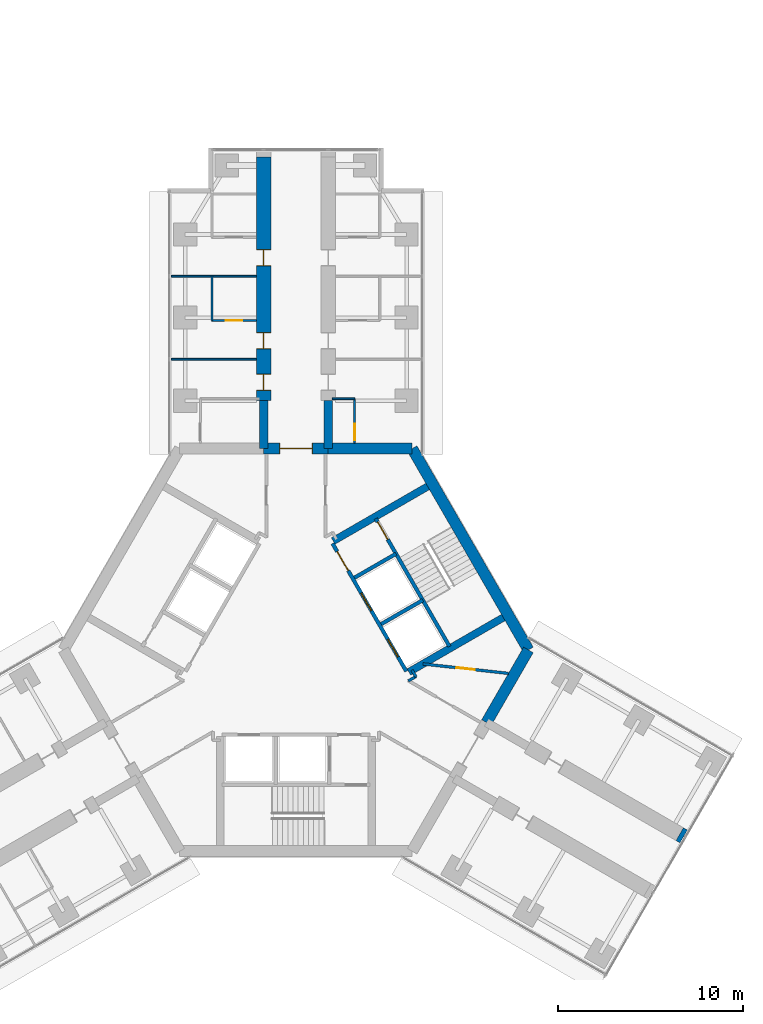
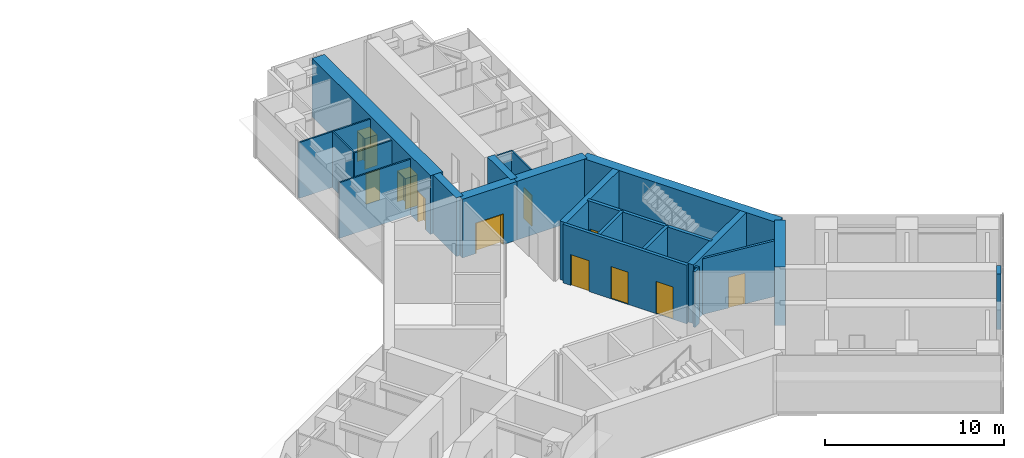
# One storey, part 20 of 23: 23 walls, 11 doors, 11 openings.
"""IFC4 building model written with IfcOpenShell, lengths in metres."""

from ifc_helpers import new_model, si_unit, direction, frame, frame_2d, origin, place, context, subcontext, project, spatial, rectangle, extrude, material, layer, layer_set, type_object, element, fill, save


model = new_model("IFC4")

# Units and contexts
model_context = context("Model", 3, precision=1e-05, world=origin(), true_north=direction((0.0, 1.0)))
body_context = subcontext(model_context, "Body", "Model", "MODEL_VIEW")
ifc_project = project(units=[si_unit("LENGTHUNIT", "METRE"), si_unit("AREAUNIT", "SQUARE_METRE"), si_unit("VOLUMEUNIT", "CUBIC_METRE"), si_unit("PLANEANGLEUNIT", "RADIAN"), si_unit("MASSUNIT", "GRAM", prefix="KILO")], contexts=[model_context])

# Site, building, storey
site_placement = place(None, origin())
site = spatial("IfcSite", under=ifc_project, at=site_placement, CompositionType="ELEMENT")
building_placement = place(site_placement, origin())
building = spatial("IfcBuilding", under=site, at=building_placement, Name="Upepo Twin Towers", CompositionType="ELEMENT")
storey_placement = place(building_placement, frame((0.0, 0.0, 145.5)))
storey = spatial("IfcBuildingStorey", under=building, at=storey_placement, Name="L35", CompositionType="ELEMENT", Elevation=145.5)

# Walls
ifc_material_1 = material(Name="Dense concrete blockwork", Category="masonry")
ifc_layer_1 = layer(ifc_material_1, 0.800048828125)
ifc_layer_set_1 = layer_set([ifc_layer_1], Name="Buttress closer 800, blockwork with fire-stopping to the curtain wall")
wall_type_1 = type_object("IfcWallType", Name="Buttress closer 800, blockwork with fire-stopping to the curtain wall", PredefinedType="PARTITIONING", material=ifc_layer_set_1)
wall_1_placement = place(storey_placement, frame((79.293701171875, -27.984375, 0.0), z_axis=(0.0, 0.0, 1.0), x_axis=(0.865827443207, -0.500342721131, 0.0)))
element("IfcWall", 1, at=wall_1_placement, inside=storey, type_object=wall_type_1, Name="T2 L35 wing C buttress closer L", PredefinedType="PARTITIONING", context=body_context, shape_type="SweptSolid", body=[
    extrude(rectangle(XDim=0.249755859375, YDim=0.800048828125, at=frame_2d((0.125, 0.0))), origin(), (0.0, 0.0, 1.0), 3.800048828125),
])
ifc_material_2 = material(Name="Concrete C60/75", Category="concrete")
ifc_layer_2 = layer(ifc_material_2, 0.449951171875)
ifc_layer_set_2 = layer_set([ifc_layer_2], Name="Concrete C60/75")
wall_type_2 = type_object("IfcWallType", Name="Buttress wall 450 RC", PredefinedType="SHEAR", material=ifc_layer_set_2)
for number, where, z_axis, x_axis, name in (
    (2, (56.75, -7.091552734375, 0.0), (0.0, 0.0, 1.0), (0.0, 1.0, 0.0), "T2 wing A buttress wall L"),
    (3, (60.25, -7.091552734375, 0.0), (0.0, 0.0, 1.0), (0.0, 1.0, 0.0), "T2 wing A buttress wall R"),
):
    element("IfcWall", number, at=place(storey_placement, frame(where, z_axis=z_axis, x_axis=x_axis)), inside=storey, type_object=wall_type_2, Name=name, PredefinedType="SHEAR", context=body_context, shape_type="SweptSolid", body=[
        extrude(rectangle(XDim=2.591552734375, YDim=0.449951171875, at=frame_2d((1.2958984375, 0.0))), origin(), (0.0, 0.0, 1.0), 4.0),
    ])

# Wall, openings, doors
ifc_material_3 = material(Name="Concrete C60/75", Category="concrete")
ifc_layer_3 = layer(ifc_material_3, 0.800048828125)
ifc_layer_set_3 = layer_set([ifc_layer_3], Name="Concrete C60/75")
wall_type_3 = type_object("IfcWallType", Name="Buttress wall 800 RC", PredefinedType="SHEAR", material=ifc_layer_set_3)
wall_2_placement = place(storey_placement, frame((56.75, -4.5, 0.0), z_axis=(0.0, 0.0, 1.0), x_axis=(0.0, 1.0, 0.0)))
wall_2 = element("IfcWall", 4, at=wall_2_placement, inside=storey, type_object=wall_type_3, Name="T2 wing A buttress wall L part 2", PredefinedType="SHEAR", context=body_context, shape_type="SweptSolid", body=[
    extrude(rectangle(XDim=13.199951171875, YDim=0.800048828125, at=frame_2d((6.60009765625, 0.0))), origin(), (0.0, 0.0, 1.0), 4.0),
])
opening_1_placement = place(wall_2_placement, frame((0.550048828125, 0.0, 0.0)))
opening_1 = element("IfcOpeningElement", 5, at=opening_1_placement, cuts=wall_2, Name="Opening D11", PredefinedType="OPENING", context=body_context, shape_type="SweptSolid", body=[
    extrude(rectangle(XDim=0.89990234375, YDim=2.10009765625, at=frame_2d((0.449951171875, 1.050048828125))), frame((0.0, 0.409912109375, 0.0), z_axis=(0.0, -1.0, 0.0), x_axis=(1.0, 0.0, 0.0)), (0.0, 0.0, 1.0), 0.820068359375),
])
opening_2_placement = place(wall_2_placement, frame((2.800048828125, 0.0, 0.0)))
opening_2 = element("IfcOpeningElement", 6, at=opening_2_placement, cuts=wall_2, Name="Opening D14", PredefinedType="OPENING", context=body_context, shape_type="SweptSolid", body=[
    extrude(rectangle(XDim=0.89990234375, YDim=2.10009765625, at=frame_2d((0.449951171875, 1.050048828125))), frame((0.0, 0.409912109375, 0.0), z_axis=(0.0, -1.0, 0.0), x_axis=(1.0, 0.0, 0.0)), (0.0, 0.0, 1.0), 0.820068359375),
])
opening_3_placement = place(wall_2_placement, frame((7.300048828125, 0.0, 0.0)))
opening_3 = element("IfcOpeningElement", 7, at=opening_3_placement, cuts=wall_2, Name="Opening D14", PredefinedType="OPENING", context=body_context, shape_type="SweptSolid", body=[
    extrude(rectangle(XDim=0.89990234375, YDim=2.10009765625, at=frame_2d((0.449951171875, 1.050048828125))), frame((0.0, 0.409912109375, 0.0), z_axis=(0.0, -1.0, 0.0), x_axis=(1.0, 0.0, 0.0)), (0.0, 0.0, 1.0), 0.820068359375),
])
ifc_material_4 = material(Name="Timber doorset", Category="wood")
door_type_1 = type_object("IfcDoorType", Name="Office door 900 FD30", OperationType="SINGLE_SWING_LEFT", PredefinedType="DOOR", material=ifc_material_4)
door_1_placement = place(opening_2_placement, origin())
door_1 = element("IfcDoor", 8, at=door_1_placement, inside=storey, type_object=door_type_1, Name="T2 L35 staff office door", OperationType="SINGLE_SWING_LEFT", OverallHeight=2.10009765625, OverallWidth=0.89990234375, PredefinedType="DOOR", context=body_context, shape_type="SweptSolid", body=[
    extrude(rectangle(XDim=0.81990234375, YDim=2.06009765625, at=frame_2d((0.449951171875, 1.030029296875))), frame((0.0, 0.02490234375, 0.0), z_axis=(0.0, -1.0, 0.0), x_axis=(1.0, 0.0, 0.0)), (0.0, 0.0, 1.0), 0.050048828125),
    extrude(rectangle(XDim=0.04, YDim=2.10009765625, at=frame_2d((0.02001953125, 1.050048828125))), frame((0.0, 0.39990234375, 0.0), z_axis=(0.0, -1.0, 0.0), x_axis=(1.0, 0.0, 0.0)), (0.0, 0.0, 1.0), 0.799560546875),
    extrude(rectangle(XDim=0.04, YDim=2.10009765625, at=frame_2d((0.8798828125, 1.050048828125))), frame((0.0, 0.39990234375, 0.0), z_axis=(0.0, -1.0, 0.0), x_axis=(1.0, 0.0, 0.0)), (0.0, 0.0, 1.0), 0.799560546875),
    extrude(rectangle(XDim=0.81990234375, YDim=0.04, at=frame_2d((0.449951171875, 2.080078125))), frame((0.0, 0.39990234375, 0.0), z_axis=(0.0, -1.0, 0.0), x_axis=(1.0, 0.0, 0.0)), (0.0, 0.0, 1.0), 0.799560546875),
])
fill(opening_2, door_1)
door_2_placement = place(opening_3_placement, origin())
door_2 = element("IfcDoor", 9, at=door_2_placement, inside=storey, type_object=door_type_1, Name="T2 L35 meeting room door", OperationType="SINGLE_SWING_RIGHT", OverallHeight=2.10009765625, OverallWidth=0.89990234375, PredefinedType="DOOR", context=body_context, shape_type="SweptSolid", body=[
    extrude(rectangle(XDim=0.81990234375, YDim=2.06009765625, at=frame_2d((0.449951171875, 1.030029296875))), frame((0.0, 0.02490234375, 0.0), z_axis=(0.0, -1.0, 0.0), x_axis=(1.0, 0.0, 0.0)), (0.0, 0.0, 1.0), 0.050048828125),
    extrude(rectangle(XDim=0.04, YDim=2.10009765625, at=frame_2d((0.02001953125, 1.050048828125))), frame((0.0, 0.39990234375, 0.0), z_axis=(0.0, -1.0, 0.0), x_axis=(1.0, 0.0, 0.0)), (0.0, 0.0, 1.0), 0.799560546875),
    extrude(rectangle(XDim=0.04, YDim=2.10009765625, at=frame_2d((0.8798828125, 1.050048828125))), frame((0.0, 0.39990234375, 0.0), z_axis=(0.0, -1.0, 0.0), x_axis=(1.0, 0.0, 0.0)), (0.0, 0.0, 1.0), 0.799560546875),
    extrude(rectangle(XDim=0.81990234375, YDim=0.04, at=frame_2d((0.449951171875, 2.080078125))), frame((0.0, 0.39990234375, 0.0), z_axis=(0.0, -1.0, 0.0), x_axis=(1.0, 0.0, 0.0)), (0.0, 0.0, 1.0), 0.799560546875),
])
fill(opening_3, door_2)
ifc_material_5 = material(Name="Timber doorset", Category="wood")
door_type_2 = type_object("IfcDoorType", Name="Toilet door 900", OperationType="SINGLE_SWING_LEFT", PredefinedType="DOOR", material=ifc_material_5)
door_3_placement = place(opening_1_placement, origin())
door_3 = element("IfcDoor", 10, at=door_3_placement, inside=storey, type_object=door_type_2, Name="T2 L35 accessible wc door", OperationType="SINGLE_SWING_LEFT", OverallHeight=2.10009765625, OverallWidth=0.89990234375, PredefinedType="DOOR", context=body_context, shape_type="SweptSolid", body=[
    extrude(rectangle(XDim=0.81990234375, YDim=2.06009765625, at=frame_2d((0.449951171875, 1.030029296875))), frame((0.0, 0.02490234375, 0.0), z_axis=(0.0, -1.0, 0.0), x_axis=(1.0, 0.0, 0.0)), (0.0, 0.0, 1.0), 0.050048828125),
    extrude(rectangle(XDim=0.04, YDim=2.10009765625, at=frame_2d((0.02001953125, 1.050048828125))), frame((0.0, 0.39990234375, 0.0), z_axis=(0.0, -1.0, 0.0), x_axis=(1.0, 0.0, 0.0)), (0.0, 0.0, 1.0), 0.799560546875),
    extrude(rectangle(XDim=0.04, YDim=2.10009765625, at=frame_2d((0.8798828125, 1.050048828125))), frame((0.0, 0.39990234375, 0.0), z_axis=(0.0, -1.0, 0.0), x_axis=(1.0, 0.0, 0.0)), (0.0, 0.0, 1.0), 0.799560546875),
    extrude(rectangle(XDim=0.81990234375, YDim=0.04, at=frame_2d((0.449951171875, 2.080078125))), frame((0.0, 0.39990234375, 0.0), z_axis=(0.0, -1.0, 0.0), x_axis=(1.0, 0.0, 0.0)), (0.0, 0.0, 1.0), 0.799560546875),
])
fill(opening_1, door_3)

# Wall
ifc_material_6 = material(Name="Concrete C60/75", Category="concrete")
ifc_layer_4 = layer(ifc_material_6, 0.60009765625)
ifc_layer_set_4 = layer_set([ifc_layer_4], Name="Concrete C60/75")
wall_type_4 = type_object("IfcWallType", Name="Core wall 600 RC", PredefinedType="SHEAR", material=ifc_layer_set_4)
wall_3_placement = place(storey_placement, frame((64.7978515625, -7.091552734375, 0.0), z_axis=(0.0, 0.0, 1.0), x_axis=(-1.0, 0.0, 0.0)))
element("IfcWall", 11, at=wall_3_placement, inside=storey, type_object=wall_type_4, Name="T2 core wall 000 R", PredefinedType="SHEAR", context=body_context, shape_type="SweptSolid", body=[
    extrude(rectangle(XDim=4.5478515625, YDim=0.60009765625, at=frame_2d((2.27392578125, 0.0))), origin(), (0.0, 0.0, 1.0), 4.0),
])

# Wall, opening, door
wall_4_placement = place(storey_placement, frame((60.25, -7.091552734375, 0.0), z_axis=(0.0, 0.0, 1.0), x_axis=(-1.0, 0.0, 0.0)))
wall_4 = element("IfcWall", 12, at=wall_4_placement, inside=storey, type_object=wall_type_4, Name="T2 core wall 000", PredefinedType="SHEAR", context=body_context, shape_type="SweptSolid", body=[
    extrude(rectangle(XDim=3.5, YDim=0.60009765625, at=frame_2d((1.75, 0.0))), origin(), (0.0, 0.0, 1.0), 4.0),
])
opening_4_placement = place(wall_4_placement, frame((0.85009765625, 0.0, 0.0)))
opening_4 = element("IfcOpeningElement", 13, at=opening_4_placement, cuts=wall_4, Name="Opening D2", PredefinedType="OPENING", context=body_context, shape_type="SweptSolid", body=[
    extrude(rectangle(XDim=1.800048828125, YDim=2.10009765625, at=frame_2d((0.89990234375, 1.050048828125))), frame((0.0, 0.31005859375, 0.0), z_axis=(0.0, -1.0, 0.0), x_axis=(1.0, 0.0, 0.0)), (0.0, 0.0, 1.0), 0.6201171875),
])
ifc_material_7 = material(Name="Timber doorset", Category="wood")
door_type_3 = type_object("IfcDoorType", Name="Corridor double door 1800 FD60", OperationType="DOUBLE_DOOR_DOUBLE_SWING", PredefinedType="DOOR", material=ifc_material_7)
door_4_placement = place(opening_4_placement, origin())
door_4 = element("IfcDoor", 14, at=door_4_placement, inside=storey, type_object=door_type_3, Name="T2 L35 wing A corridor door", OperationType="DOUBLE_DOOR_DOUBLE_SWING", OverallHeight=2.10009765625, OverallWidth=1.800048828125, PredefinedType="DOOR", context=body_context, shape_type="SweptSolid", body=[
    extrude(rectangle(XDim=1.720048828125, YDim=2.06009765625, at=frame_2d((0.89990234375, 1.030029296875))), frame((0.0, 0.02490234375, 0.0), z_axis=(0.0, -1.0, 0.0), x_axis=(1.0, 0.0, 0.0)), (0.0, 0.0, 1.0), 0.050048828125),
    extrude(rectangle(XDim=0.04, YDim=2.10009765625, at=frame_2d((0.02001953125, 1.050048828125))), frame((0.0, 0.2998046875, 0.0), z_axis=(0.0, -1.0, 0.0), x_axis=(1.0, 0.0, 0.0)), (0.0, 0.0, 1.0), 0.599609375),
    extrude(rectangle(XDim=0.04, YDim=2.10009765625, at=frame_2d((1.780029296875, 1.050048828125))), frame((0.0, 0.2998046875, 0.0), z_axis=(0.0, -1.0, 0.0), x_axis=(1.0, 0.0, 0.0)), (0.0, 0.0, 1.0), 0.599609375),
    extrude(rectangle(XDim=1.720048828125, YDim=0.04, at=frame_2d((0.89990234375, 2.080078125))), frame((0.0, 0.2998046875, 0.0), z_axis=(0.0, -1.0, 0.0), x_axis=(1.0, 0.0, 0.0)), (0.0, 0.0, 1.0), 0.599609375),
])
fill(opening_4, door_4)

# Walls
wall_5_placement = place(storey_placement, frame((68.82177734375, -21.938720703125, 0.0), z_axis=(0.0, 0.0, 1.0), x_axis=(0.500024481964, 0.866011268655, 0.0)))
element("IfcWall", 15, at=wall_5_placement, inside=storey, type_object=wall_type_4, Name="T2 core wall 240 L", PredefinedType="SHEAR", context=body_context, shape_type="SweptSolid", body=[
    extrude(rectangle(XDim=4.548095703125, YDim=0.60009765625, at=frame_2d((2.27392578125, 0.0))), origin(), (0.0, 0.0, 1.0), 4.0),
])
wall_6_placement = place(storey_placement, frame((71.095947265625, -18.0, 0.0), z_axis=(0.0, 0.0, 1.0), x_axis=(-0.500005998175, 0.866021940709, 0.0)))
element("IfcWall", 16, at=wall_6_placement, inside=storey, type_object=wall_type_4, Name="T2 core wall 300", PredefinedType="SHEAR", context=body_context, shape_type="SweptSolid", body=[
    extrude(rectangle(XDim=12.595947265625, YDim=0.60009765625, at=frame_2d((6.2978515625, 0.0))), origin(), (0.0, 0.0, 1.0), 4.0),
])
ifc_material_8 = material(Name="Gypsum board on steel studs", Category="steel")
ifc_layer_5 = layer(ifc_material_8, 0.10009765625)
ifc_layer_set_5 = layer_set([ifc_layer_5], Name="Office partition 100 stud")
wall_type_5 = type_object("IfcWallType", Name="Office partition 100 stud", PredefinedType="PARTITIONING", material=ifc_layer_set_5)
for number, where, z_axis, x_axis, name in (
    (17, (56.35009765625, -2.25, 0.0), (0.0, 0.0, 1.0), (-1.0, 0.0, 0.0), "T2 partition AL at 15.75"),
    (18, (56.35009765625, 2.25, 0.0), (0.0, 0.0, 1.0), (-1.0, 0.0, 0.0), "T2 partition AL at 20.25"),
):
    element("IfcWall", number, at=place(storey_placement, frame(where, z_axis=z_axis, x_axis=x_axis)), inside=storey, type_object=wall_type_5, Name=name, PredefinedType="PARTITIONING", context=body_context, shape_type="SweptSolid", body=[
        extrude(rectangle(XDim=4.60009765625, YDim=0.10009765625, at=frame_2d((2.300048828125, 0.0))), origin(), (0.0, 0.0, 1.0), 3.800048828125),
    ])
wall_7_placement = place(storey_placement, frame((53.949951171875, -0.14990234375, 0.0), z_axis=(0.0, 0.0, 1.0), x_axis=(0.0, 1.0, 0.0)))
element("IfcWall", 19, at=wall_7_placement, inside=storey, type_object=wall_type_5, Name="T2 inner room partition AL at 17.85", PredefinedType="PARTITIONING", context=body_context, shape_type="SweptSolid", body=[
    extrude(rectangle(XDim=2.39990234375, YDim=0.10009765625, at=frame_2d((1.199951171875, 0.0))), origin(), (0.0, 0.0, 1.0), 3.800048828125),
])

# Wall, opening, door
wall_8_placement = place(storey_placement, frame((56.35009765625, -0.14990234375, 0.0), z_axis=(0.0, 0.0, 1.0), x_axis=(-1.0, 0.0, 0.0)))
wall_8 = element("IfcWall", 20, at=wall_8_placement, inside=storey, type_object=wall_type_5, Name="T2 inner room partition AL end at 17.85", PredefinedType="PARTITIONING", context=body_context, shape_type="SweptSolid", body=[
    extrude(rectangle(XDim=2.400146484375, YDim=0.10009765625, at=frame_2d((1.2001953125, 0.0))), origin(), (0.0, 0.0, 1.0), 3.800048828125),
])
opening_5_placement = place(wall_8_placement, frame((0.75, 0.0, 0.0)))
opening_5 = element("IfcOpeningElement", 21, at=opening_5_placement, cuts=wall_8, Name="Opening D14", PredefinedType="OPENING", context=body_context, shape_type="SweptSolid", body=[
    extrude(rectangle(XDim=0.89990234375, YDim=2.10009765625, at=frame_2d((0.449951171875, 1.050048828125))), frame((0.0, 0.06005859375, 0.0), z_axis=(0.0, -1.0, 0.0), x_axis=(1.0, 0.0, 0.0)), (0.0, 0.0, 1.0), 0.1201171875),
])
door_5_placement = place(opening_5_placement, origin())
door_5 = element("IfcDoor", 22, at=door_5_placement, inside=storey, type_object=door_type_1, Name="T2 L35 inner room door", OperationType="SINGLE_SWING_LEFT", OverallHeight=2.10009765625, OverallWidth=0.89990234375, PredefinedType="DOOR", context=body_context, shape_type="SweptSolid", body=[
    extrude(rectangle(XDim=0.89990234375, YDim=2.10009765625, at=frame_2d((0.449951171875, 1.050048828125))), frame((0.0, 0.02490234375, 0.0), z_axis=(0.0, -1.0, 0.0), x_axis=(1.0, 0.0, 0.0)), (0.0, 0.0, 1.0), 0.050048828125),
])
fill(opening_5, door_5)

wall_9_placement = place(storey_placement, frame((61.675048828125, -6.7919921875, 0.0), z_axis=(0.0, 0.0, 1.0), x_axis=(0.0, 1.0, 0.0)))
wall_9 = element("IfcWall", 23, at=wall_9_placement, inside=storey, type_object=wall_type_5, Name="T2 WC bay partition AR at 11.21", PredefinedType="PARTITIONING", context=body_context, shape_type="SweptSolid", body=[
    extrude(rectangle(XDim=2.39990234375, YDim=0.10009765625, at=frame_2d((1.199951171875, 0.0))), origin(), (0.0, 0.0, 1.0), 3.800048828125),
])
opening_6_placement = place(wall_9_placement, frame((0.14990234375, 0.0, 0.0)))
opening_6 = element("IfcOpeningElement", 24, at=opening_6_placement, cuts=wall_9, Name="Opening D14", PredefinedType="OPENING", context=body_context, shape_type="SweptSolid", body=[
    extrude(rectangle(XDim=0.89990234375, YDim=2.10009765625, at=frame_2d((0.449951171875, 1.050048828125))), frame((0.0, 0.06005859375, 0.0), z_axis=(0.0, -1.0, 0.0), x_axis=(1.0, 0.0, 0.0)), (0.0, 0.0, 1.0), 0.1201171875),
])
door_6_placement = place(opening_6_placement, origin())
door_6 = element("IfcDoor", 25, at=door_6_placement, inside=storey, type_object=door_type_1, Name="T2 L35 WC bay inner room door", OperationType="SINGLE_SWING_LEFT", OverallHeight=2.10009765625, OverallWidth=0.89990234375, PredefinedType="DOOR", context=body_context, shape_type="SweptSolid", body=[
    extrude(rectangle(XDim=0.89990234375, YDim=2.10009765625, at=frame_2d((0.449951171875, 1.050048828125))), frame((0.0, 0.02490234375, 0.0), z_axis=(0.0, -1.0, 0.0), x_axis=(1.0, 0.0, 0.0)), (0.0, 0.0, 1.0), 0.050048828125),
])
fill(opening_6, door_6)

# Wall
wall_10_placement = place(storey_placement, frame((60.47509765625, -4.39208984375, 0.0), z_axis=(0.0, 0.0, 1.0), x_axis=(1.0, 0.0, 0.0)))
element("IfcWall", 26, at=wall_10_placement, inside=storey, type_object=wall_type_5, Name="T2 WC bay partition AR end at 13.61", PredefinedType="PARTITIONING", context=body_context, shape_type="SweptSolid", body=[
    extrude(rectangle(XDim=1.199951171875, YDim=0.10009765625, at=frame_2d((0.60009765625, 0.0))), origin(), (0.0, 0.0, 1.0), 3.800048828125),
])

# Wall, openings, doors
ifc_material_9 = material(Name="Concrete C40/50", Category="concrete")
ifc_layer_6 = layer(ifc_material_9, 0.199951171875)
ifc_layer_set_6 = layer_set([ifc_layer_6], Name="Concrete C40/50")
wall_type_6 = type_object("IfcWallType", Name="Shaft wall 200 RC", PredefinedType="SHEAR", material=ifc_layer_set_6)
wall_11_placement = place(storey_placement, frame((64.483642578125, -19.1640625, 0.0), z_axis=(0.0, 0.0, 1.0), x_axis=(-0.49999894854, 0.866026010844, 0.0)))
wall_11 = element("IfcWall", 27, at=wall_11_placement, inside=storey, type_object=wall_type_6, Name="T2 core W300 front wall", PredefinedType="SHEAR", context=body_context, shape_type="SweptSolid", body=[
    extrude(rectangle(XDim=8.0, YDim=0.199951171875, at=frame_2d((4.0, 0.0))), origin(), (0.0, 0.0, 1.0), 4.0),
])
opening_7_placement = place(wall_11_placement, frame((6.300048828125, 0.0, 0.0)))
opening_7 = element("IfcOpeningElement", 28, at=opening_7_placement, cuts=wall_11, Name="Opening D4", PredefinedType="OPENING", context=body_context, shape_type="SweptSolid", body=[
    extrude(rectangle(XDim=1.199951171875, YDim=2.10009765625, at=frame_2d((0.60009765625, 1.050048828125))), frame((0.0, 0.10986328125, 0.0), z_axis=(0.0, -1.0, 0.0), x_axis=(1.0, 0.0, 0.0)), (0.0, 0.0, 1.0), 0.219970703125),
])
opening_8_placement = place(wall_11_placement, frame((0.89990234375, 0.0, 0.0)))
opening_8 = element("IfcOpeningElement", 29, at=opening_8_placement, cuts=wall_11, Name="Opening LD1", PredefinedType="OPENING", context=body_context, shape_type="SweptSolid", body=[
    extrude(rectangle(XDim=1.10009765625, YDim=2.199951171875, at=frame_2d((0.550048828125, 1.10009765625))), frame((0.0, 0.10986328125, 0.0), z_axis=(0.0, -1.0, 0.0), x_axis=(1.0, 0.0, 0.0)), (0.0, 0.0, 1.0), 0.219970703125),
])
opening_9_placement = place(wall_11_placement, frame((3.800048828125, 0.0, 0.0)))
opening_9 = element("IfcOpeningElement", 30, at=opening_9_placement, cuts=wall_11, Name="Opening LD1", PredefinedType="OPENING", context=body_context, shape_type="SweptSolid", body=[
    extrude(rectangle(XDim=1.10009765625, YDim=2.199951171875, at=frame_2d((0.550048828125, 1.10009765625))), frame((0.0, 0.10986328125, 0.0), z_axis=(0.0, -1.0, 0.0), x_axis=(1.0, 0.0, 0.0)), (0.0, 0.0, 1.0), 0.219970703125),
])
ifc_material_10 = material(Name="Steel doorset", Category="steel")
door_type_4 = type_object("IfcDoorType", Name="Lift landing door 1100", OperationType="DOUBLE_DOOR_SLIDING", PredefinedType="DOOR", material=ifc_material_10)
door_7_placement = place(opening_8_placement, origin())
door_7 = element("IfcDoor", 31, at=door_7_placement, inside=storey, type_object=door_type_4, Name="T2 L35 lift ML1 landing door", OperationType="DOUBLE_DOOR_SLIDING", OverallHeight=2.199951171875, OverallWidth=1.10009765625, PredefinedType="DOOR", context=body_context, shape_type="SweptSolid", body=[
    extrude(rectangle(XDim=1.10009765625, YDim=2.199951171875, at=frame_2d((0.550048828125, 1.10009765625))), frame((0.0, 0.02490234375, 0.0), z_axis=(0.0, -1.0, 0.0), x_axis=(1.0, 0.0, 0.0)), (0.0, 0.0, 1.0), 0.050048828125),
])
fill(opening_8, door_7)
door_8_placement = place(opening_9_placement, origin())
door_8 = element("IfcDoor", 32, at=door_8_placement, inside=storey, type_object=door_type_4, Name="T2 L35 lift ML2 landing door", OperationType="DOUBLE_DOOR_SLIDING", OverallHeight=2.199951171875, OverallWidth=1.10009765625, PredefinedType="DOOR", context=body_context, shape_type="SweptSolid", body=[
    extrude(rectangle(XDim=1.10009765625, YDim=2.199951171875, at=frame_2d((0.550048828125, 1.10009765625))), frame((0.0, 0.02490234375, 0.0), z_axis=(0.0, -1.0, 0.0), x_axis=(1.0, 0.0, 0.0)), (0.0, 0.0, 1.0), 0.050048828125),
])
fill(opening_9, door_8)
ifc_material_11 = material(Name="Timber doorset", Category="wood")
door_type_5 = type_object("IfcDoorType", Name="Lobby door 1200 FD60", OperationType="SINGLE_SWING_LEFT", PredefinedType="DOOR", material=ifc_material_11)
door_9_placement = place(opening_7_placement, origin())
door_9 = element("IfcDoor", 33, at=door_9_placement, inside=storey, type_object=door_type_5, Name="T2 L35 W300 lobby door", OperationType="SINGLE_SWING_RIGHT", OverallHeight=2.10009765625, OverallWidth=1.199951171875, PredefinedType="DOOR", context=body_context, shape_type="SweptSolid", body=[
    extrude(rectangle(XDim=1.199951171875, YDim=2.10009765625, at=frame_2d((0.60009765625, 1.050048828125))), frame((0.0, 0.02490234375, 0.0), z_axis=(0.0, -1.0, 0.0), x_axis=(1.0, 0.0, 0.0)), (0.0, 0.0, 1.0), 0.050048828125),
])
fill(opening_7, door_9)

# Walls
wall_12_placement = place(storey_placement, frame((63.120361328125, -16.6025390625, 0.0), z_axis=(0.0, 0.0, 1.0), x_axis=(0.866062058628, 0.499936506574, 0.0)))
element("IfcWall", 34, at=wall_12_placement, inside=storey, type_object=wall_type_6, Name="T2 core W300 shaft divider", PredefinedType="SHEAR", context=body_context, shape_type="SweptSolid", body=[
    extrude(rectangle(XDim=2.599853515625, YDim=0.199951171875, at=frame_2d((1.2998046875, 0.0))), origin(), (0.0, 0.0, 1.0), 4.0),
])
wall_13_placement = place(storey_placement, frame((61.67041015625, -14.091064453125, 0.0), z_axis=(0.0, 0.0, 1.0), x_axis=(0.86603858612, 0.49997716683, 0.0)))
element("IfcWall", 35, at=wall_13_placement, inside=storey, type_object=wall_type_6, Name="T2 core W300 lobby wall", PredefinedType="SHEAR", context=body_context, shape_type="SweptSolid", body=[
    extrude(rectangle(XDim=2.599609375, YDim=0.199951171875, at=frame_2d((1.2998046875, 0.0))), origin(), (0.0, 0.0, 1.0), 4.0),
])

# Wall, opening, door
wall_14_placement = place(storey_placement, frame((66.822021484375, -17.814208984375, 0.0), z_axis=(0.0, 0.0, 1.0), x_axis=(-0.49999894854, 0.866026010844, 0.0)))
wall_14 = element("IfcWall", 36, at=wall_14_placement, inside=storey, type_object=wall_type_6, Name="T2 core W300 stair wall", PredefinedType="SHEAR", context=body_context, shape_type="SweptSolid", body=[
    extrude(rectangle(XDim=8.0, YDim=0.199951171875, at=frame_2d((4.0, 0.0))), origin(), (0.0, 0.0, 1.0), 4.0),
])
opening_10_placement = place(wall_14_placement, frame((6.699951171875, 0.0, 0.0)))
opening_10 = element("IfcOpeningElement", 37, at=opening_10_placement, cuts=wall_14, Name="Opening D3", PredefinedType="OPENING", context=body_context, shape_type="SweptSolid", body=[
    extrude(rectangle(XDim=1.10009765625, YDim=2.10009765625, at=frame_2d((0.550048828125, 1.050048828125))), frame((0.0, 0.10986328125, 0.0), z_axis=(0.0, -1.0, 0.0), x_axis=(1.0, 0.0, 0.0)), (0.0, 0.0, 1.0), 0.219970703125),
])
ifc_material_12 = material(Name="Timber doorset", Category="wood")
door_type_6 = type_object("IfcDoorType", Name="Stair door 1100 FD60", OperationType="SINGLE_SWING_LEFT", PredefinedType="DOOR", material=ifc_material_12)
door_10_placement = place(opening_10_placement, origin())
door_10 = element("IfcDoor", 38, at=door_10_placement, inside=storey, type_object=door_type_6, Name="T2 L35 stair door", OperationType="SINGLE_SWING_RIGHT", OverallHeight=2.10009765625, OverallWidth=1.10009765625, PredefinedType="DOOR", context=body_context, shape_type="SweptSolid", body=[
    extrude(rectangle(XDim=1.10009765625, YDim=2.10009765625, at=frame_2d((0.550048828125, 1.050048828125))), frame((0.0, 0.02490234375, 0.0), z_axis=(0.0, -1.0, 0.0), x_axis=(1.0, 0.0, 0.0)), (0.0, 0.0, 1.0), 0.050048828125),
])
fill(opening_10, door_10)

# Walls
ifc_material_13 = material(Name="Concrete C40/50", Category="concrete")
ifc_layer_7 = layer(ifc_material_13, 0.39990234375)
ifc_layer_set_7 = layer_set([ifc_layer_7], Name="Concrete C40/50")
wall_type_7 = type_object("IfcWallType", Name="Shaft wall 400 RC", PredefinedType="SHEAR", material=ifc_layer_set_7)
wall_15_placement = place(storey_placement, frame((60.520263671875, -12.099365234375, 0.0), z_axis=(0.0, 0.0, 1.0), x_axis=(0.866009424208, 0.500027676417, 0.0)))
element("IfcWall", 39, at=wall_15_placement, inside=storey, type_object=wall_type_7, Name="T2 core W300 side wall N", PredefinedType="SHEAR", context=body_context, shape_type="SweptSolid", body=[
    extrude(rectangle(XDim=5.908447265625, YDim=0.39990234375, at=frame_2d((2.9541015625, 0.0))), origin(), (0.0, 0.0, 1.0), 4.0),
])
wall_16_placement = place(storey_placement, frame((64.620361328125, -19.20068359375, 0.0), z_axis=(0.0, 0.0, 1.0), x_axis=(0.866027317282, 0.49999668571, 0.0)))
element("IfcWall", 40, at=wall_16_placement, inside=storey, type_object=wall_type_7, Name="T2 core W300 side wall S", PredefinedType="SHEAR", context=body_context, shape_type="SweptSolid", body=[
    extrude(rectangle(XDim=5.908203125, YDim=0.39990234375, at=frame_2d((2.9541015625, 0.0))), origin(), (0.0, 0.0, 1.0), 4.0),
])
ifc_material_14 = material(Name="Gypsum board on steel studs", Category="steel")
ifc_layer_8 = layer(ifc_material_14, 0.14990234375)
ifc_layer_set_8 = layer_set([ifc_layer_8], Name="Teaching partition 150 acoustic")
wall_type_8 = type_object("IfcWallType", Name="Teaching partition 150 acoustic", PredefinedType="PARTITIONING", material=ifc_layer_set_8)
wall_17_placement = place(storey_placement, frame((64.78857421875, -19.092041015625, 0.0), z_axis=(0.0, 0.0, 1.0), x_axis=(0.499804398801, -0.866138304741, 0.0)))
element("IfcWall", 41, at=wall_17_placement, inside=storey, type_object=wall_type_8, Name="T2 core room partition 12", PredefinedType="PARTITIONING", context=body_context, shape_type="SweptSolid", body=[
    extrude(rectangle(XDim=0.429931640625, YDim=0.14990234375, at=frame_2d((0.21484375, 0.0))), origin(), (0.0, 0.0, 1.0), 3.800048828125),
])
wall_18_placement = place(storey_placement, frame((65.0107421875, -19.43701171875, 0.0), z_axis=(0.0, 0.0, 1.0), x_axis=(-0.865831790172, -0.50033519877, 0.0)))
element("IfcWall", 42, at=wall_18_placement, inside=storey, type_object=wall_type_8, Name="T2 core room partition 13", PredefinedType="PARTITIONING", context=body_context, shape_type="SweptSolid", body=[
    extrude(rectangle(XDim=0.494384765625, YDim=0.14990234375, at=frame_2d((0.2470703125, 0.0))), origin(), (0.0, 0.0, 1.0), 3.800048828125),
])

# Wall, opening, door
wall_19_placement = place(storey_placement, frame((65.381103515625, -18.761474609375, 0.0), z_axis=(0.0, 0.0, 1.0), x_axis=(0.993932184458, -0.109994603044, 0.0)))
wall_19 = element("IfcWall", 43, at=wall_19_placement, inside=storey, type_object=wall_type_8, Name="T2 core room partition 19", PredefinedType="PARTITIONING", context=body_context, shape_type="SweptSolid", body=[
    extrude(rectangle(XDim=4.6611328125, YDim=0.14990234375, at=frame_2d((2.33056640625, 0.0))), origin(), (0.0, 0.0, 1.0), 3.800048828125),
])
opening_11_placement = place(wall_19_placement, frame((1.83056640625, 0.0, 0.0)))
opening_11 = element("IfcOpeningElement", 44, at=opening_11_placement, cuts=wall_19, Name="Opening D1", PredefinedType="OPENING", context=body_context, shape_type="SweptSolid", body=[
    extrude(rectangle(XDim=1.0, YDim=2.10009765625, at=frame_2d((0.5, 1.050048828125))), frame((0.0, 0.0849609375, 0.0), z_axis=(0.0, -1.0, 0.0), x_axis=(1.0, 0.0, 0.0)), (0.0, 0.0, 1.0), 0.169921875),
])
ifc_material_15 = material(Name="Timber doorset", Category="wood")
door_type_7 = type_object("IfcDoorType", Name="Room door 1000 FD30", OperationType="SINGLE_SWING_LEFT", PredefinedType="DOOR", material=ifc_material_15)
door_11_placement = place(opening_11_placement, origin())
door_11 = element("IfcDoor", 45, at=door_11_placement, inside=storey, type_object=door_type_7, Name="T2 L35 core room door K5", OperationType="SINGLE_SWING_LEFT", OverallHeight=2.10009765625, OverallWidth=1.0, PredefinedType="DOOR", context=body_context, shape_type="SweptSolid", body=[
    extrude(rectangle(XDim=1.0, YDim=2.10009765625, at=frame_2d((0.5, 1.050048828125))), frame((0.0, 0.02490234375, 0.0), z_axis=(0.0, -1.0, 0.0), x_axis=(1.0, 0.0, 0.0)), (0.0, 0.0, 1.0), 0.050048828125),
])
fill(opening_11, door_11)

save(model, "model.ifc")
